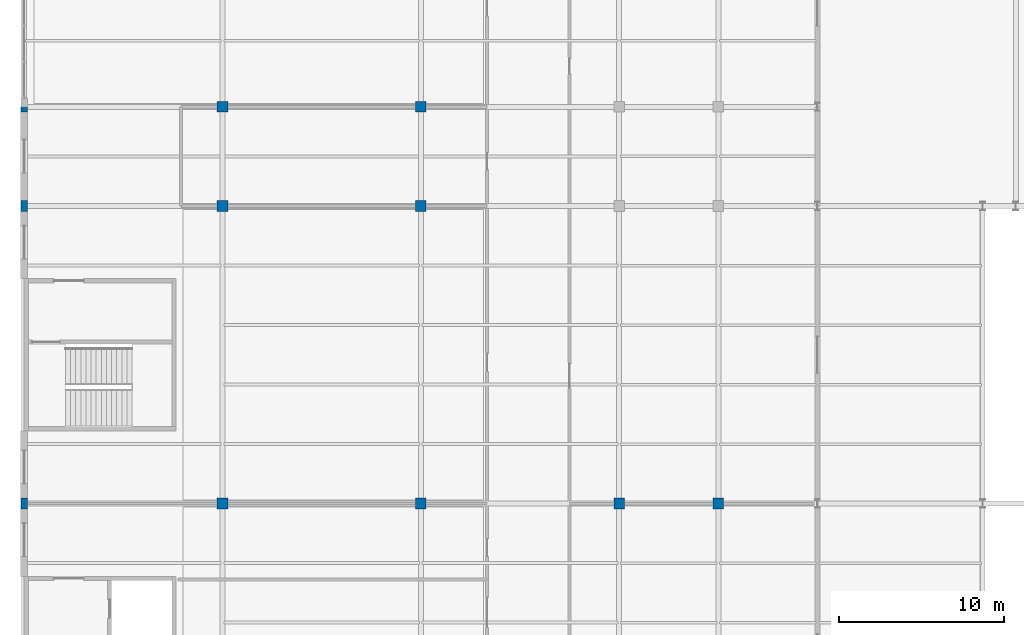
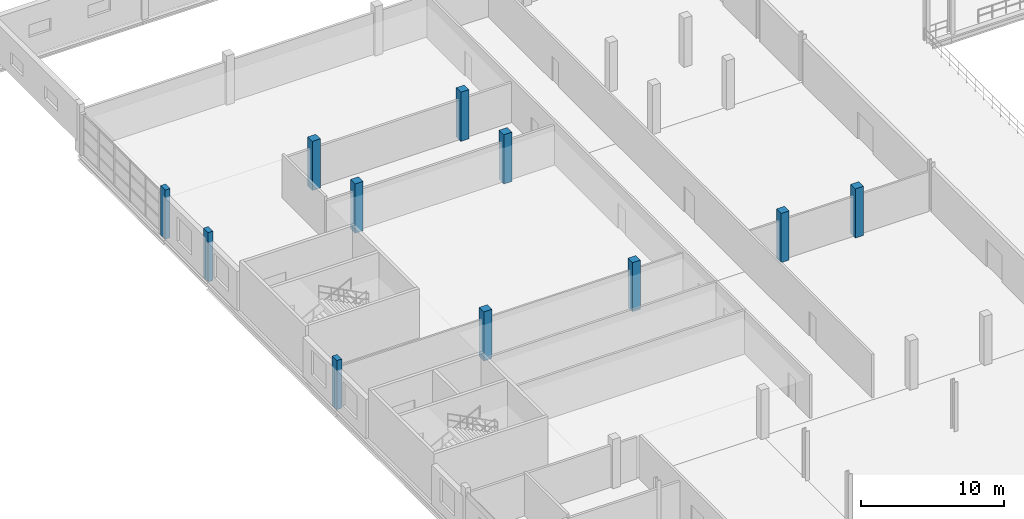
# One storey, part 10 of 158: 11 columns.
"""IFC4 building model written with IfcOpenShell, lengths in metres."""

import ifcopenshell
import ifcopenshell.guid

model = None  # the IFC model being written
_history = None  # IfcOwnerHistory: only IFC2X3 demands one
_inside = {}  # id of a spatial element -> (the spatial element, [elements in it])
_under = {}  # id of a project, library or spatial element -> (it, [spatial elements below it])
_declared = {}  # id of a project -> (the project, [libraries it declares])
_typed = {}  # id of a type object -> (the type object, [elements of that type])
_made_of = {}  # id of a material, layer set ... -> (it, [elements and type objects made of it])


def new_model(schema):
    """Start an empty IFC model of exactly this schema.

    Asked for "IFC4X3", IfcOpenShell would pick the latest addendum, in which some entities
    have other attributes; the version numbers below select the first issue.
    IFC2X3 requires an IfcOwnerHistory on every rooted entity: one is made here for all.
    """
    global model, _history
    if schema == "IFC4X3":
        model = ifcopenshell.file(schema_version=(4, 3, 0, 0))
    else:
        model = ifcopenshell.file(schema=schema)
    _inside.clear()
    _under.clear()
    _declared.clear()
    _typed.clear()
    _made_of.clear()
    _history = None
    if model.schema == "IFC2X3":
        org = make("IfcOrganization", Name="unknown")
        user = make(
            "IfcPersonAndOrganization",
            ThePerson=make("IfcPerson", FamilyName="unknown"),
            TheOrganization=org,
        )
        app = make(
            "IfcApplication",
            ApplicationDeveloper=org,
            Version="unknown",
            ApplicationFullName="unknown",
            ApplicationIdentifier="unknown",
        )
        _history = make(
            "IfcOwnerHistory",
            OwningUser=user,
            OwningApplication=app,
            ChangeAction="ADDED",
            CreationDate=0,
        )
    return model


def make(cls, **values):
    """One entity of the class cls with the attributes given. An attribute that is None is left unset."""
    return model.create_entity(
        cls, **{name: value for name, value in values.items() if value is not None}
    )


def rooted(cls, **values):
    """An entity with a GlobalId (a new one), such as an element, a storey or a relation."""
    return make(cls, GlobalId=ifcopenshell.guid.new(), OwnerHistory=_history, **values)


def si_unit(unit_type, name, prefix=None):
    """IfcSIUnit, for example si_unit("LENGTHUNIT", "METRE", prefix="MILLI")."""
    return make("IfcSIUnit", UnitType=unit_type, Prefix=prefix, Name=name)


def assignment(units):
    """IfcUnitAssignment: the units of a project."""
    return None if units is None else make("IfcUnitAssignment", Units=units)


def point(xyz):
    """IfcCartesianPoint."""
    return None if xyz is None else make("IfcCartesianPoint", Coordinates=xyz)


def direction(xyz):
    """IfcDirection."""
    return None if xyz is None else make("IfcDirection", DirectionRatios=xyz)


def frame(location, z_axis=None, x_axis=None):
    """IfcAxis2Placement3D, a coordinate frame: its origin and axes. An axis left out is left unset."""
    return make(
        "IfcAxis2Placement3D",
        Location=point(location),
        Axis=direction(z_axis),
        RefDirection=direction(x_axis),
    )


def frame_2d(location, x_axis=None):
    """IfcAxis2Placement2D, a coordinate frame in the plane: its origin and x axis."""
    return make(
        "IfcAxis2Placement2D", Location=point(location), RefDirection=direction(x_axis)
    )


def origin():
    """The frame at (0, 0, 0) with its axes left unset."""
    return frame((0.0, 0.0, 0.0))


def origin_2d():
    """The frame at (0, 0) in the plane with its x axis left unset."""
    return frame_2d((0.0, 0.0))


def place(relative_to, where):
    """IfcLocalPlacement: puts the frame where relative to a parent placement (None: the world)."""
    return make(
        "IfcLocalPlacement", PlacementRelTo=relative_to, RelativePlacement=where
    )


def context(
    kind, dimensions, precision=None, world=None, true_north=None, identifier=None
):
    """IfcGeometricRepresentationContext, for example the 3D "Model" context."""
    return make(
        "IfcGeometricRepresentationContext",
        ContextIdentifier=identifier,
        ContextType=kind,
        CoordinateSpaceDimension=dimensions,
        Precision=precision,
        WorldCoordinateSystem=world,
        TrueNorth=true_north,
    )


def subcontext(parent, identifier, kind, view, scale=None):
    """IfcGeometricRepresentationSubContext, for example "Body" below "Model"."""
    return make(
        "IfcGeometricRepresentationSubContext",
        ContextIdentifier=identifier,
        ContextType=kind,
        ParentContext=parent,
        TargetScale=scale,
        TargetView=view,
    )


def project(units=None, contexts=None):
    """IfcProject with its units and contexts."""
    return rooted(
        "IfcProject",
        Name="project",
        RepresentationContexts=contexts,
        UnitsInContext=assignment(units),
    )


def spatial(cls, under=None, at=None, **own):
    """A site, building, storey or space (cls), placed at a placement, below another one or the project."""
    s = rooted(cls, ObjectPlacement=at, **own)
    if under is not None:
        _under.setdefault(under.id(), (under, []))[1].append(s)
    return s


def profile(cls, at=None, kind="AREA", **sizes):
    """A parametric profile (cls). Its sizes go by their IFC names, for example OverallWidth=200.0."""
    return make(cls, ProfileType=kind, Position=at, **sizes)


def rectangle(**sizes):
    """IfcRectangleProfileDef."""
    return profile("IfcRectangleProfileDef", **sizes)


def extrude(swept, where, along, depth):
    """IfcExtrudedAreaSolid: the profile swept, set in the frame where, extruded along a direction by depth."""
    return make(
        "IfcExtrudedAreaSolid",
        SweptArea=swept,
        Position=where,
        ExtrudedDirection=direction(along),
        Depth=depth,
    )


def shape(context_of_items, identifier, shape_type, items):
    """IfcShapeRepresentation: the items that make up one representation, for example the "Body"."""
    return make(
        "IfcShapeRepresentation",
        ContextOfItems=context_of_items,
        RepresentationIdentifier=identifier,
        RepresentationType=shape_type,
        Items=items,
    )


def material(Name=None, Category=None):
    """IfcMaterial."""
    return make("IfcMaterial", Name=Name, Category=Category)


def material_profile(
    of_material, cross_section, Name=None, Category=None, Priority=None
):
    """IfcMaterialProfile: a cross section and its material."""
    return make(
        "IfcMaterialProfile",
        Name=Name,
        Material=of_material,
        Profile=cross_section,
        Priority=Priority,
        Category=Category,
    )


def profile_set(profiles, Name=None, composite=None):
    """IfcMaterialProfileSet."""
    return make(
        "IfcMaterialProfileSet",
        Name=Name,
        MaterialProfiles=profiles,
        CompositeProfile=composite,
    )


def made_of(thing, what):
    """Note that an element or type object is made of a material, layer set ...; save() writes the relation."""
    if what is not None:
        _made_of.setdefault(what.id(), (what, []))[1].append(thing)
    return thing


def type_object(cls, material=None, **own):
    """A type object (cls), such as IfcWallType, which elements share."""
    return made_of(rooted(cls, **own), material)


def element(
    cls,
    number,
    at=None,
    inside=None,
    cuts=None,
    type_object=None,
    material=None,
    context=None,
    identifier="Body",
    shape_type=None,
    held_by="IfcProductDefinitionShape",
    body=None,
    shapes=None,
    **own,
):
    """One element of the class cls, such as IfcWall. Its Tag is "e" and its number.

    at: its placement. inside: the storey or other place that contains it. cuts: it is an
    opening in that element (IfcRelVoidsElement). A single representation is given by context,
    identifier, shape_type and body (its items); several are given by shapes. held_by: the class
    of the entity that holds the representations. save() writes the other relations.
    """
    e = rooted(cls, Tag="e%d" % number, ObjectPlacement=at, **own)
    if body is not None:
        shapes = [shape(context, identifier, shape_type, body)]
    if shapes is not None:
        e.Representation = make(held_by, Representations=shapes)
    if inside is not None:
        _inside.setdefault(inside.id(), (inside, []))[1].append(e)
    if cuts is not None:
        rooted(
            "IfcRelVoidsElement", RelatingBuildingElement=cuts, RelatedOpeningElement=e
        )
    if type_object is not None:
        _typed.setdefault(type_object.id(), (type_object, []))[1].append(e)
    return made_of(e, material)


def aggregate(whole, parts):
    """IfcRelAggregates: a whole, such as a stair, and the parts it consists of."""
    return rooted("IfcRelAggregates", RelatingObject=whole, RelatedObjects=parts)


def save(model, path):
    """Write the relations noted so far, then the file.

    IfcRelAggregates (storeys below a building ...), IfcRelContainedInSpatialStructure (elements
    in a storey), IfcRelDefinesByType, IfcRelAssociatesMaterial and IfcRelDeclares: one each for
    every whole, place, type object, material and project.
    """
    for whole, parts in _under.values():
        aggregate(whole, parts)
    for where, things in _inside.values():
        rooted(
            "IfcRelContainedInSpatialStructure",
            RelatedElements=things,
            RelatingStructure=where,
        )
    for kind, things in _typed.values():
        rooted("IfcRelDefinesByType", RelatedObjects=things, RelatingType=kind)
    for what, things in _made_of.values():
        rooted("IfcRelAssociatesMaterial", RelatedObjects=things, RelatingMaterial=what)
    for by, libraries in _declared.values():
        rooted("IfcRelDeclares", RelatingContext=by, RelatedDefinitions=libraries)
    model.write(path)


model = new_model("IFC4")

# Units and contexts
model_context = context("Model", 3, precision=1e-05, world=origin(), true_north=direction((0.0, 1.0)))
body_context = subcontext(model_context, "Body", "Model", "MODEL_VIEW")
ifc_project = project(units=[si_unit("LENGTHUNIT", "METRE"), si_unit("AREAUNIT", "SQUARE_METRE"), si_unit("VOLUMEUNIT", "CUBIC_METRE"), si_unit("PLANEANGLEUNIT", "RADIAN"), si_unit("MASSUNIT", "GRAM", prefix="KILO")], contexts=[model_context])

# Site, building, storey
site_placement = place(None, origin())
site = spatial("IfcSite", under=ifc_project, at=site_placement, CompositionType="ELEMENT")
building_placement = place(site_placement, origin())
building = spatial("IfcBuilding", under=site, at=building_placement, Name="Zilviju Railside Exhibition Hall", CompositionType="ELEMENT")
storey_placement = place(building_placement, frame((0.0, 0.0, 4.199951171875)))
storey = spatial("IfcBuildingStorey", under=building, at=storey_placement, Name="L02", CompositionType="ELEMENT", Elevation=4.199951171875)

# Columns
ifc_material = material(Name="Concrete C35/45", Category="concrete")
ifc_material_profile_1 = material_profile(ifc_material, rectangle(XDim=0.64990234375, YDim=0.64990234375, at=origin_2d()), Name="RC COL 650x650")
ifc_profile_set_1 = profile_set([ifc_material_profile_1], Name="Concrete C35/45")
column_type_1 = type_object("IfcColumnType", Name="COL-RC-650", PredefinedType="COLUMN", material=ifc_profile_set_1)
for number, where, z_axis, x_axis, name in (
    (1, (12.0, 102.0, 0.0), (0.0, 0.0, 1.0), (1.0, 0.0, 0.0), "Structural Column L02 (12.0, 102.0)"),
    (2, (24.0, 102.0, 0.0), (0.0, 0.0, 1.0), (1.0, 0.0, 0.0), "Structural Column L02 (24.0, 102.0)"),
    (3, (36.0, 102.0, 0.0), (0.0, 0.0, 1.0), (1.0, 0.0, 0.0), "Structural Column L02 (36.0, 102.0)"),
    (4, (42.0, 102.0, 0.0), (0.0, 0.0, 1.0), (1.0, 0.0, 0.0), "Structural Column L02 (42.0, 102.0)"),
    (5, (12.0, 120.0, 0.0), (0.0, 0.0, 1.0), (1.0, 0.0, 0.0), "Structural Column L02 (12.0, 120.0)"),
    (6, (24.0, 120.0, 0.0), (0.0, 0.0, 1.0), (1.0, 0.0, 0.0), "Structural Column L02 (24.0, 120.0)"),
    (7, (12.0, 126.0, 0.0), (0.0, 0.0, 1.0), (1.0, 0.0, 0.0), "Structural Column L02 (12.0, 126.0)"),
    (8, (24.0, 126.0, 0.0), (0.0, 0.0, 1.0), (1.0, 0.0, 0.0), "Structural Column L02 (24.0, 126.0)"),
):
    element("IfcColumn", number, at=place(storey_placement, frame(where, z_axis=z_axis, x_axis=x_axis)), inside=storey, type_object=column_type_1, Name=name, PredefinedType="COLUMN", context=body_context, shape_type="SweptSolid", body=[
        extrude(rectangle(XDim=0.64990234375, YDim=0.64990234375, at=origin_2d()), origin(), (0.0, 0.0, 1.0), 4.199951171875),
    ])
ifc_material_profile_2 = material_profile(ifc_material, rectangle(XDim=0.39990234375, YDim=0.64990234375, at=origin_2d()), Name="RC COL 400x650")
ifc_profile_set_2 = profile_set([ifc_material_profile_2], Name="Concrete C35/45")
column_type_2 = type_object("IfcColumnType", Name="PIL-RC-650x400", PredefinedType="PILASTER", material=ifc_profile_set_2)
for number, where, z_axis, x_axis, name in (
    (9, (0.0, 102.0, 0.0), (0.0, 0.0, 1.0), (1.0, 0.0, 0.0), "Structural Column L02 (0.0, 102.0)"),
    (10, (0.0, 120.0, 0.0), (0.0, 0.0, 1.0), (1.0, 0.0, 0.0), "Structural Column L02 (0.0, 120.0)"),
    (11, (0.0, 126.0, 0.0), (0.0, 0.0, 1.0), (1.0, 0.0, 0.0), "Structural Column L02 (0.0, 126.0)"),
):
    element("IfcColumn", number, at=place(storey_placement, frame(where, z_axis=z_axis, x_axis=x_axis)), inside=storey, type_object=column_type_2, Name=name, PredefinedType="PILASTER", context=body_context, shape_type="SweptSolid", body=[
        extrude(rectangle(XDim=0.39990234375, YDim=0.64990234375, at=origin_2d()), origin(), (0.0, 0.0, 1.0), 4.199951171875),
    ])

save(model, "model.ifc")
